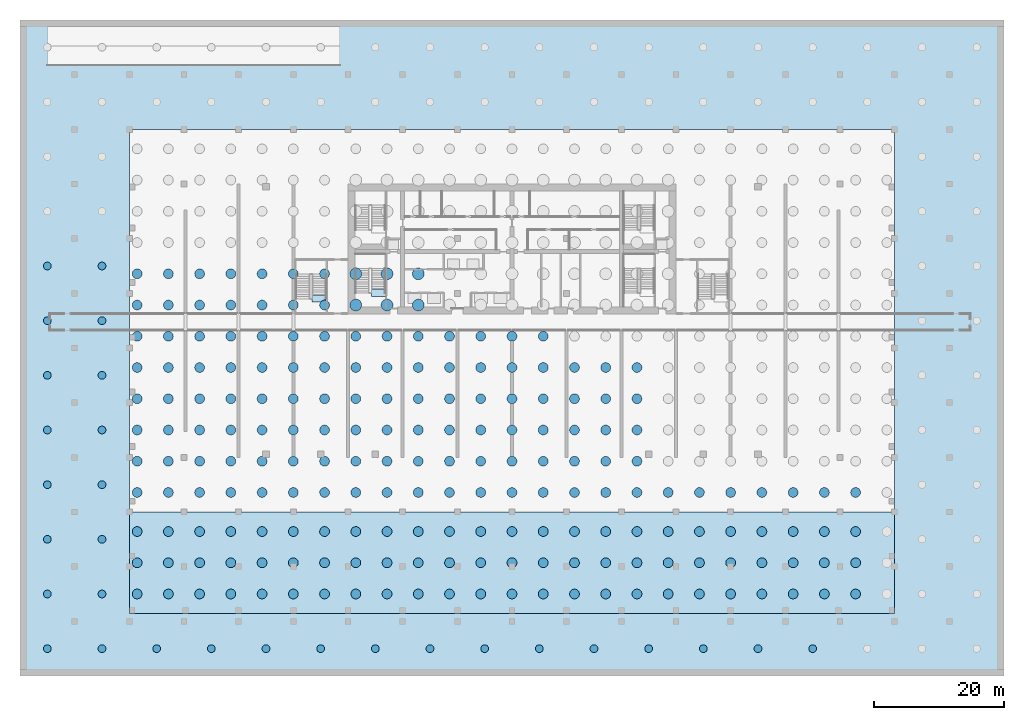
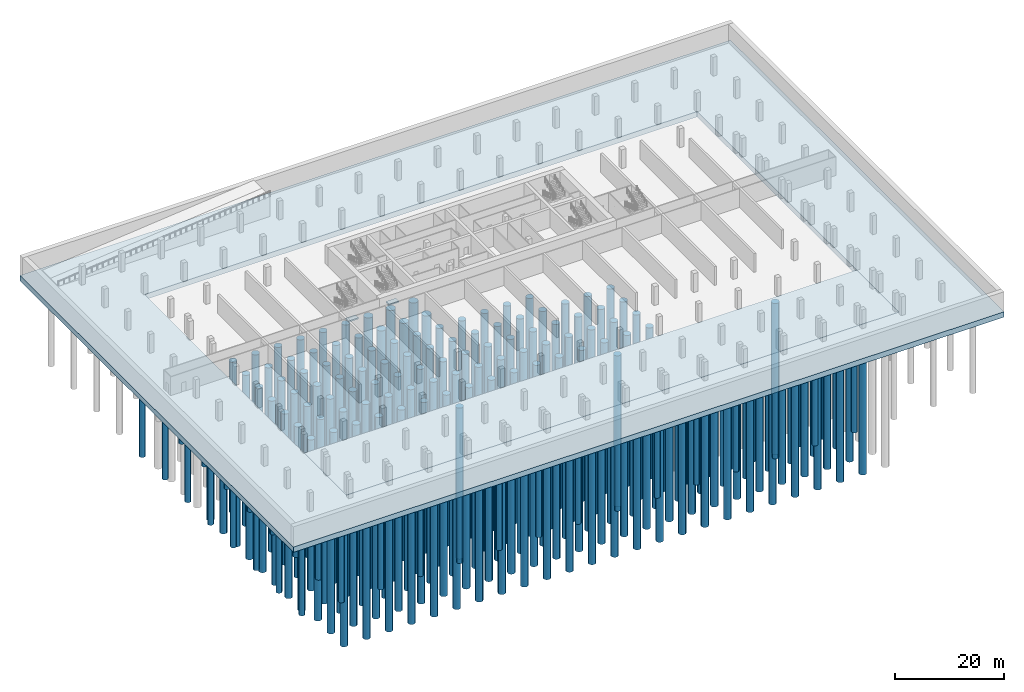
# One storey, part 1 of 17: 227 piles, 4 footings.
"""IFC4 building model written with IfcOpenShell, lengths in metres."""

from ifc_helpers import new_model, si_unit, direction, frame, origin, origin_2d, place, context, subcontext, project, spatial, polyline, circle, outline, extrude, source, transform, mapped, material, layer, layer_set, type_object, element, save


model = new_model("IFC4")

# Units and contexts
model_context = context("Model", 3, precision=1e-05, world=origin(), true_north=direction((0.0, 1.0)))
body_context = subcontext(model_context, "Body", "Model", "MODEL_VIEW")
ifc_project = project(units=[si_unit("LENGTHUNIT", "METRE"), si_unit("AREAUNIT", "SQUARE_METRE"), si_unit("VOLUMEUNIT", "CUBIC_METRE"), si_unit("PLANEANGLEUNIT", "RADIAN"), si_unit("MASSUNIT", "GRAM", prefix="KILO")], contexts=[model_context])

# Site, building, storey
site_placement = place(None, origin())
site = spatial("IfcSite", under=ifc_project, at=site_placement, CompositionType="ELEMENT")
building_placement = place(site_placement, origin())
building = spatial("IfcBuilding", under=site, at=building_placement, Name="Vanashikhar Sky Hotel", CompositionType="ELEMENT")
storey_placement = place(building_placement, frame((0.0, 0.0, -13.5)))
storey = spatial("IfcBuildingStorey", under=building, at=storey_placement, Name="B3", CompositionType="ELEMENT", Elevation=-13.5)

# Footings
ifc_material = material(Name="Concrete M40", Category="concrete")
ifc_layer_1 = layer(ifc_material, 2.0)
ifc_layer_set_1 = layer_set([ifc_layer_1], Name="Piled raft 2000 mm")
footing_type_1 = type_object("IfcFootingType", Name="Piled raft 2000 mm", PredefinedType="PILE_CAP", material=ifc_layer_set_1)
shared_shape_1 = source(origin(), body_context, "Body", "SweptSolid", [
    extrude(outline(polyline([(109.199951171875, -24.0), (109.199951171875, -8.39990234375), (-8.39990234375, -8.39990234375), (-8.39990234375, -24.0), (109.199951171875, -24.0)])), origin(), (0.0, 0.0, 1.0), 2.0),
])
footing_1_placement = place(storey_placement, frame((0.0, 0.0, -2.300048828125)))
element("IfcFooting", 1, at=footing_1_placement, inside=storey, type_object=footing_type_1, Name="Front annex piled raft", PredefinedType="PILE_CAP", context=body_context, shape_type="MappedRepresentation", body=[
    mapped(shared_shape_1, transform((0.0, 0.0, 0.0), scale=1.0)),
])
ifc_layer_2 = layer(ifc_material, 1.199951171875)
ifc_layer_set_2 = layer_set([ifc_layer_2], Name="Piled raft 1200 mm")
footing_type_2 = type_object("IfcFootingType", Name="Piled raft 1200 mm", PredefinedType="PILE_CAP", material=ifc_layer_set_2)
shared_shape_2 = source(origin(), body_context, "Body", "SweptSolid", [
    extrude(outline(polyline([(-25.199951171875, -33.60009765625), (126.0, -33.60009765625), (126.0, 67.199951171875), (-25.199951171875, 67.199951171875), (-25.199951171875, -33.60009765625)]), holes=[polyline([(109.199951171875, -24.0), (109.199951171875, 50.39990234375), (-8.39990234375, 50.39990234375), (-8.39990234375, -24.0), (109.199951171875, -24.0)])]), origin(), (0.0, 0.0, 1.0), 1.199951171875),
])
footing_2_placement = place(storey_placement, frame((0.0, 0.0, -1.5)))
element("IfcFooting", 2, at=footing_2_placement, inside=storey, type_object=footing_type_2, Name="Basement piled raft", PredefinedType="PILE_CAP", context=body_context, shape_type="MappedRepresentation", body=[
    mapped(shared_shape_2, transform((0.0, 0.0, 0.0), scale=1.0)),
])

# Piles
pile_type_1 = type_object("IfcPileType", Name="Bored pile 1500 mm", PredefinedType="BORED", material=ifc_material)
shared_shape_3 = source(origin(), body_context, "Body", "SweptSolid", [
    extrude(circle(Radius=0.75, at=origin_2d()), origin(), (0.0, 0.0, 1.0), 34.0),
])
for number, where, z_axis, x_axis, name in (
    (3, (-7.199951171875, -5.39990234375, -3.699951171875), (0.0, 0.0, -1.0), (1.0, 0.0, 0.0), "PL-B3-0001"),
    (4, (-2.39990234375, -5.39990234375, -3.699951171875), (0.0, 0.0, -1.0), (1.0, 0.0, 0.0), "PL-B3-0002"),
    (5, (2.39990234375, -5.39990234375, -3.699951171875), (0.0, 0.0, -1.0), (1.0, 0.0, 0.0), "PL-B3-0003"),
    (6, (7.199951171875, -5.39990234375, -3.699951171875), (0.0, 0.0, -1.0), (1.0, 0.0, 0.0), "PL-B3-0004"),
    (7, (12.0, -5.39990234375, -3.699951171875), (0.0, 0.0, -1.0), (1.0, 0.0, 0.0), "PL-B3-0005"),
    (8, (16.800048828125, -5.39990234375, -3.699951171875), (0.0, 0.0, -1.0), (1.0, 0.0, 0.0), "PL-B3-0006"),
    (9, (21.60009765625, -5.39990234375, -3.699951171875), (0.0, 0.0, -1.0), (1.0, 0.0, 0.0), "PL-B3-0007"),
    (10, (26.39990234375, -5.39990234375, -3.699951171875), (0.0, 0.0, -1.0), (1.0, 0.0, 0.0), "PL-B3-0008"),
    (11, (31.199951171875, -5.39990234375, -3.699951171875), (0.0, 0.0, -1.0), (1.0, 0.0, 0.0), "PL-B3-0009"),
    (12, (36.0, -5.39990234375, -3.699951171875), (0.0, 0.0, -1.0), (1.0, 0.0, 0.0), "PL-B3-0010"),
    (13, (40.800048828125, -5.39990234375, -3.699951171875), (0.0, 0.0, -1.0), (1.0, 0.0, 0.0), "PL-B3-0011"),
    (14, (45.60009765625, -5.39990234375, -3.699951171875), (0.0, 0.0, -1.0), (1.0, 0.0, 0.0), "PL-B3-0012"),
    (15, (50.39990234375, -5.39990234375, -3.699951171875), (0.0, 0.0, -1.0), (1.0, 0.0, 0.0), "PL-B3-0013"),
    (16, (55.199951171875, -5.39990234375, -3.699951171875), (0.0, 0.0, -1.0), (1.0, 0.0, 0.0), "PL-B3-0014"),
    (17, (60.0, -5.39990234375, -3.699951171875), (0.0, 0.0, -1.0), (1.0, 0.0, 0.0), "PL-B3-0015"),
    (18, (64.800048828125, -5.39990234375, -3.699951171875), (0.0, 0.0, -1.0), (1.0, 0.0, 0.0), "PL-B3-0016"),
    (19, (69.60009765625, -5.39990234375, -3.699951171875), (0.0, 0.0, -1.0), (1.0, 0.0, 0.0), "PL-B3-0017"),
    (20, (74.39990234375, -5.39990234375, -3.699951171875), (0.0, 0.0, -1.0), (1.0, 0.0, 0.0), "PL-B3-0018"),
    (21, (79.199951171875, -5.39990234375, -3.699951171875), (0.0, 0.0, -1.0), (1.0, 0.0, 0.0), "PL-B3-0019"),
    (22, (84.0, -5.39990234375, -3.699951171875), (0.0, 0.0, -1.0), (1.0, 0.0, 0.0), "PL-B3-0020"),
    (23, (88.800048828125, -5.39990234375, -3.699951171875), (0.0, 0.0, -1.0), (1.0, 0.0, 0.0), "PL-B3-0021"),
    (24, (93.60009765625, -5.39990234375, -3.699951171875), (0.0, 0.0, -1.0), (1.0, 0.0, 0.0), "PL-B3-0022"),
    (25, (98.39990234375, -5.39990234375, -3.699951171875), (0.0, 0.0, -1.0), (1.0, 0.0, 0.0), "PL-B3-0023"),
    (26, (103.199951171875, -5.39990234375, -3.699951171875), (0.0, 0.0, -1.0), (1.0, 0.0, 0.0), "PL-B3-0024"),
    (27, (-7.199951171875, -0.60009765625, -3.699951171875), (0.0, 0.0, -1.0), (1.0, 0.0, 0.0), "PL-B3-0026"),
    (28, (-2.39990234375, -0.60009765625, -3.699951171875), (0.0, 0.0, -1.0), (1.0, 0.0, 0.0), "PL-B3-0027"),
    (29, (2.39990234375, -0.60009765625, -3.699951171875), (0.0, 0.0, -1.0), (1.0, 0.0, 0.0), "PL-B3-0028"),
    (30, (7.199951171875, -0.60009765625, -3.699951171875), (0.0, 0.0, -1.0), (1.0, 0.0, 0.0), "PL-B3-0029"),
    (31, (12.0, -0.60009765625, -3.699951171875), (0.0, 0.0, -1.0), (1.0, 0.0, 0.0), "PL-B3-0030"),
    (32, (16.800048828125, -0.60009765625, -3.699951171875), (0.0, 0.0, -1.0), (1.0, 0.0, 0.0), "PL-B3-0031"),
    (33, (21.60009765625, -0.60009765625, -3.699951171875), (0.0, 0.0, -1.0), (1.0, 0.0, 0.0), "PL-B3-0032"),
    (34, (26.39990234375, -0.60009765625, -3.699951171875), (0.0, 0.0, -1.0), (1.0, 0.0, 0.0), "PL-B3-0033"),
    (35, (31.199951171875, -0.60009765625, -3.699951171875), (0.0, 0.0, -1.0), (1.0, 0.0, 0.0), "PL-B3-0034"),
    (36, (36.0, -0.60009765625, -3.699951171875), (0.0, 0.0, -1.0), (1.0, 0.0, 0.0), "PL-B3-0035"),
    (37, (40.800048828125, -0.60009765625, -3.699951171875), (0.0, 0.0, -1.0), (1.0, 0.0, 0.0), "PL-B3-0036"),
    (38, (45.60009765625, -0.60009765625, -3.699951171875), (0.0, 0.0, -1.0), (1.0, 0.0, 0.0), "PL-B3-0037"),
    (39, (50.39990234375, -0.60009765625, -3.699951171875), (0.0, 0.0, -1.0), (1.0, 0.0, 0.0), "PL-B3-0038"),
    (40, (55.199951171875, -0.60009765625, -3.699951171875), (0.0, 0.0, -1.0), (1.0, 0.0, 0.0), "PL-B3-0039"),
    (41, (60.0, -0.60009765625, -3.699951171875), (0.0, 0.0, -1.0), (1.0, 0.0, 0.0), "PL-B3-0040"),
    (42, (64.800048828125, -0.60009765625, -3.699951171875), (0.0, 0.0, -1.0), (1.0, 0.0, 0.0), "PL-B3-0041"),
    (43, (69.60009765625, -0.60009765625, -3.699951171875), (0.0, 0.0, -1.0), (1.0, 0.0, 0.0), "PL-B3-0042"),
    (44, (-7.199951171875, 4.199951171875, -3.699951171875), (0.0, 0.0, -1.0), (1.0, 0.0, 0.0), "PL-B3-0051"),
    (45, (-2.39990234375, 4.199951171875, -3.699951171875), (0.0, 0.0, -1.0), (1.0, 0.0, 0.0), "PL-B3-0052"),
    (46, (2.39990234375, 4.199951171875, -3.699951171875), (0.0, 0.0, -1.0), (1.0, 0.0, 0.0), "PL-B3-0053"),
    (47, (7.199951171875, 4.199951171875, -3.699951171875), (0.0, 0.0, -1.0), (1.0, 0.0, 0.0), "PL-B3-0054"),
    (48, (12.0, 4.199951171875, -3.699951171875), (0.0, 0.0, -1.0), (1.0, 0.0, 0.0), "PL-B3-0055"),
    (49, (16.800048828125, 4.199951171875, -3.699951171875), (0.0, 0.0, -1.0), (1.0, 0.0, 0.0), "PL-B3-0056"),
    (50, (21.60009765625, 4.199951171875, -3.699951171875), (0.0, 0.0, -1.0), (1.0, 0.0, 0.0), "PL-B3-0057"),
    (51, (26.39990234375, 4.199951171875, -3.699951171875), (0.0, 0.0, -1.0), (1.0, 0.0, 0.0), "PL-B3-0058"),
    (52, (31.199951171875, 4.199951171875, -3.699951171875), (0.0, 0.0, -1.0), (1.0, 0.0, 0.0), "PL-B3-0059"),
    (53, (36.0, 4.199951171875, -3.699951171875), (0.0, 0.0, -1.0), (1.0, 0.0, 0.0), "PL-B3-0060"),
    (54, (40.800048828125, 4.199951171875, -3.699951171875), (0.0, 0.0, -1.0), (1.0, 0.0, 0.0), "PL-B3-0061"),
    (55, (45.60009765625, 4.199951171875, -3.699951171875), (0.0, 0.0, -1.0), (1.0, 0.0, 0.0), "PL-B3-0062"),
    (56, (50.39990234375, 4.199951171875, -3.699951171875), (0.0, 0.0, -1.0), (1.0, 0.0, 0.0), "PL-B3-0063"),
    (57, (55.199951171875, 4.199951171875, -3.699951171875), (0.0, 0.0, -1.0), (1.0, 0.0, 0.0), "PL-B3-0064"),
    (58, (60.0, 4.199951171875, -3.699951171875), (0.0, 0.0, -1.0), (1.0, 0.0, 0.0), "PL-B3-0065"),
    (59, (64.800048828125, 4.199951171875, -3.699951171875), (0.0, 0.0, -1.0), (1.0, 0.0, 0.0), "PL-B3-0066"),
    (60, (69.60009765625, 4.199951171875, -3.699951171875), (0.0, 0.0, -1.0), (1.0, 0.0, 0.0), "PL-B3-0067"),
    (61, (-7.199951171875, 9.0, -3.699951171875), (0.0, 0.0, -1.0), (1.0, 0.0, 0.0), "PL-B3-0076"),
    (62, (-2.39990234375, 9.0, -3.699951171875), (0.0, 0.0, -1.0), (1.0, 0.0, 0.0), "PL-B3-0077"),
    (63, (2.39990234375, 9.0, -3.699951171875), (0.0, 0.0, -1.0), (1.0, 0.0, 0.0), "PL-B3-0078"),
    (64, (7.199951171875, 9.0, -3.699951171875), (0.0, 0.0, -1.0), (1.0, 0.0, 0.0), "PL-B3-0079"),
    (65, (12.0, 9.0, -3.699951171875), (0.0, 0.0, -1.0), (1.0, 0.0, 0.0), "PL-B3-0080"),
    (66, (16.800048828125, 9.0, -3.699951171875), (0.0, 0.0, -1.0), (1.0, 0.0, 0.0), "PL-B3-0081"),
    (67, (21.60009765625, 9.0, -3.699951171875), (0.0, 0.0, -1.0), (1.0, 0.0, 0.0), "PL-B3-0082"),
    (68, (26.39990234375, 9.0, -3.699951171875), (0.0, 0.0, -1.0), (1.0, 0.0, 0.0), "PL-B3-0083"),
    (69, (31.199951171875, 9.0, -3.699951171875), (0.0, 0.0, -1.0), (1.0, 0.0, 0.0), "PL-B3-0084"),
    (70, (36.0, 9.0, -3.699951171875), (0.0, 0.0, -1.0), (1.0, 0.0, 0.0), "PL-B3-0085"),
    (71, (40.800048828125, 9.0, -3.699951171875), (0.0, 0.0, -1.0), (1.0, 0.0, 0.0), "PL-B3-0086"),
    (72, (45.60009765625, 9.0, -3.699951171875), (0.0, 0.0, -1.0), (1.0, 0.0, 0.0), "PL-B3-0087"),
    (73, (50.39990234375, 9.0, -3.699951171875), (0.0, 0.0, -1.0), (1.0, 0.0, 0.0), "PL-B3-0088"),
    (74, (55.199951171875, 9.0, -3.699951171875), (0.0, 0.0, -1.0), (1.0, 0.0, 0.0), "PL-B3-0089"),
    (75, (60.0, 9.0, -3.699951171875), (0.0, 0.0, -1.0), (1.0, 0.0, 0.0), "PL-B3-0090"),
    (76, (64.800048828125, 9.0, -3.699951171875), (0.0, 0.0, -1.0), (1.0, 0.0, 0.0), "PL-B3-0091"),
    (77, (69.60009765625, 9.0, -3.699951171875), (0.0, 0.0, -1.0), (1.0, 0.0, 0.0), "PL-B3-0092"),
    (78, (-7.199951171875, 13.800048828125, -3.699951171875), (0.0, 0.0, -1.0), (1.0, 0.0, 0.0), "PL-B3-0101"),
    (79, (-2.39990234375, 13.800048828125, -3.699951171875), (0.0, 0.0, -1.0), (1.0, 0.0, 0.0), "PL-B3-0102"),
    (80, (2.39990234375, 13.800048828125, -3.699951171875), (0.0, 0.0, -1.0), (1.0, 0.0, 0.0), "PL-B3-0103"),
    (81, (7.199951171875, 13.800048828125, -3.699951171875), (0.0, 0.0, -1.0), (1.0, 0.0, 0.0), "PL-B3-0104"),
    (82, (12.0, 13.800048828125, -3.699951171875), (0.0, 0.0, -1.0), (1.0, 0.0, 0.0), "PL-B3-0105"),
    (83, (16.800048828125, 13.800048828125, -3.699951171875), (0.0, 0.0, -1.0), (1.0, 0.0, 0.0), "PL-B3-0106"),
    (84, (21.60009765625, 13.800048828125, -3.699951171875), (0.0, 0.0, -1.0), (1.0, 0.0, 0.0), "PL-B3-0107"),
    (85, (26.39990234375, 13.800048828125, -3.699951171875), (0.0, 0.0, -1.0), (1.0, 0.0, 0.0), "PL-B3-0108"),
    (86, (31.199951171875, 13.800048828125, -3.699951171875), (0.0, 0.0, -1.0), (1.0, 0.0, 0.0), "PL-B3-0109"),
    (87, (36.0, 13.800048828125, -3.699951171875), (0.0, 0.0, -1.0), (1.0, 0.0, 0.0), "PL-B3-0110"),
    (88, (40.800048828125, 13.800048828125, -3.699951171875), (0.0, 0.0, -1.0), (1.0, 0.0, 0.0), "PL-B3-0111"),
    (89, (45.60009765625, 13.800048828125, -3.699951171875), (0.0, 0.0, -1.0), (1.0, 0.0, 0.0), "PL-B3-0112"),
    (90, (50.39990234375, 13.800048828125, -3.699951171875), (0.0, 0.0, -1.0), (1.0, 0.0, 0.0), "PL-B3-0113"),
    (91, (55.199951171875, 13.800048828125, -3.699951171875), (0.0, 0.0, -1.0), (1.0, 0.0, 0.0), "PL-B3-0114"),
    (92, (60.0, 13.800048828125, -3.699951171875), (0.0, 0.0, -1.0), (1.0, 0.0, 0.0), "PL-B3-0115"),
    (93, (64.800048828125, 13.800048828125, -3.699951171875), (0.0, 0.0, -1.0), (1.0, 0.0, 0.0), "PL-B3-0116"),
    (94, (69.60009765625, 13.800048828125, -3.699951171875), (0.0, 0.0, -1.0), (1.0, 0.0, 0.0), "PL-B3-0117"),
    (95, (-7.199951171875, 18.60009765625, -3.699951171875), (0.0, 0.0, -1.0), (1.0, 0.0, 0.0), "PL-B3-0126"),
    (96, (-2.39990234375, 18.60009765625, -3.699951171875), (0.0, 0.0, -1.0), (1.0, 0.0, 0.0), "PL-B3-0127"),
    (97, (2.39990234375, 18.60009765625, -3.699951171875), (0.0, 0.0, -1.0), (1.0, 0.0, 0.0), "PL-B3-0128"),
    (98, (7.199951171875, 18.60009765625, -3.699951171875), (0.0, 0.0, -1.0), (1.0, 0.0, 0.0), "PL-B3-0129"),
    (99, (12.0, 18.60009765625, -3.699951171875), (0.0, 0.0, -1.0), (1.0, 0.0, 0.0), "PL-B3-0130"),
    (100, (16.800048828125, 18.60009765625, -3.699951171875), (0.0, 0.0, -1.0), (1.0, 0.0, 0.0), "PL-B3-0131"),
    (101, (21.60009765625, 18.60009765625, -3.699951171875), (0.0, 0.0, -1.0), (1.0, 0.0, 0.0), "PL-B3-0132"),
    (102, (26.39990234375, 18.60009765625, -3.699951171875), (0.0, 0.0, -1.0), (1.0, 0.0, 0.0), "PL-B3-0133"),
    (103, (31.199951171875, 18.60009765625, -3.699951171875), (0.0, 0.0, -1.0), (1.0, 0.0, 0.0), "PL-B3-0134"),
    (104, (36.0, 18.60009765625, -3.699951171875), (0.0, 0.0, -1.0), (1.0, 0.0, 0.0), "PL-B3-0135"),
    (105, (40.800048828125, 18.60009765625, -3.699951171875), (0.0, 0.0, -1.0), (1.0, 0.0, 0.0), "PL-B3-0136"),
    (106, (45.60009765625, 18.60009765625, -3.699951171875), (0.0, 0.0, -1.0), (1.0, 0.0, 0.0), "PL-B3-0137"),
    (107, (50.39990234375, 18.60009765625, -3.699951171875), (0.0, 0.0, -1.0), (1.0, 0.0, 0.0), "PL-B3-0138"),
    (108, (55.199951171875, 18.60009765625, -3.699951171875), (0.0, 0.0, -1.0), (1.0, 0.0, 0.0), "PL-B3-0139"),
    (109, (-7.199951171875, 23.39990234375, -3.699951171875), (0.0, 0.0, -1.0), (1.0, 0.0, 0.0), "PL-B3-0151"),
    (110, (-2.39990234375, 23.39990234375, -3.699951171875), (0.0, 0.0, -1.0), (1.0, 0.0, 0.0), "PL-B3-0152"),
    (111, (2.39990234375, 23.39990234375, -3.699951171875), (0.0, 0.0, -1.0), (1.0, 0.0, 0.0), "PL-B3-0153"),
    (112, (7.199951171875, 23.39990234375, -3.699951171875), (0.0, 0.0, -1.0), (1.0, 0.0, 0.0), "PL-B3-0154"),
    (113, (12.0, 23.39990234375, -3.699951171875), (0.0, 0.0, -1.0), (1.0, 0.0, 0.0), "PL-B3-0155"),
    (114, (16.800048828125, 23.39990234375, -3.699951171875), (0.0, 0.0, -1.0), (1.0, 0.0, 0.0), "PL-B3-0156"),
    (115, (21.60009765625, 23.39990234375, -3.699951171875), (0.0, 0.0, -1.0), (1.0, 0.0, 0.0), "PL-B3-0157"),
    (116, (-7.199951171875, 28.199951171875, -3.699951171875), (0.0, 0.0, -1.0), (1.0, 0.0, 0.0), "PL-B3-0176"),
    (117, (-2.39990234375, 28.199951171875, -3.699951171875), (0.0, 0.0, -1.0), (1.0, 0.0, 0.0), "PL-B3-0177"),
    (118, (2.39990234375, 28.199951171875, -3.699951171875), (0.0, 0.0, -1.0), (1.0, 0.0, 0.0), "PL-B3-0178"),
    (119, (7.199951171875, 28.199951171875, -3.699951171875), (0.0, 0.0, -1.0), (1.0, 0.0, 0.0), "PL-B3-0179"),
    (120, (12.0, 28.199951171875, -3.699951171875), (0.0, 0.0, -1.0), (1.0, 0.0, 0.0), "PL-B3-0180"),
    (121, (16.800048828125, 28.199951171875, -3.699951171875), (0.0, 0.0, -1.0), (1.0, 0.0, 0.0), "PL-B3-0181"),
    (122, (21.60009765625, 28.199951171875, -3.699951171875), (0.0, 0.0, -1.0), (1.0, 0.0, 0.0), "PL-B3-0182"),
    (123, (-7.199951171875, -21.0, -2.199951171875), (0.0, 0.0, -1.0), (1.0, 0.0, 0.0), "PL-B3-0301"),
    (124, (-2.39990234375, -21.0, -2.199951171875), (0.0, 0.0, -1.0), (1.0, 0.0, 0.0), "PL-B3-0302"),
    (125, (2.39990234375, -21.0, -2.199951171875), (0.0, 0.0, -1.0), (1.0, 0.0, 0.0), "PL-B3-0303"),
    (126, (7.199951171875, -21.0, -2.199951171875), (0.0, 0.0, -1.0), (1.0, 0.0, 0.0), "PL-B3-0304"),
    (127, (12.0, -21.0, -2.199951171875), (0.0, 0.0, -1.0), (1.0, 0.0, 0.0), "PL-B3-0305"),
    (128, (16.800048828125, -21.0, -2.199951171875), (0.0, 0.0, -1.0), (1.0, 0.0, 0.0), "PL-B3-0306"),
    (129, (21.60009765625, -21.0, -2.199951171875), (0.0, 0.0, -1.0), (1.0, 0.0, 0.0), "PL-B3-0307"),
    (130, (26.39990234375, -21.0, -2.199951171875), (0.0, 0.0, -1.0), (1.0, 0.0, 0.0), "PL-B3-0308"),
    (131, (31.199951171875, -21.0, -2.199951171875), (0.0, 0.0, -1.0), (1.0, 0.0, 0.0), "PL-B3-0309"),
    (132, (36.0, -21.0, -2.199951171875), (0.0, 0.0, -1.0), (1.0, 0.0, 0.0), "PL-B3-0310"),
    (133, (40.800048828125, -21.0, -2.199951171875), (0.0, 0.0, -1.0), (1.0, 0.0, 0.0), "PL-B3-0311"),
    (134, (45.60009765625, -21.0, -2.199951171875), (0.0, 0.0, -1.0), (1.0, 0.0, 0.0), "PL-B3-0312"),
    (135, (50.39990234375, -21.0, -2.199951171875), (0.0, 0.0, -1.0), (1.0, 0.0, 0.0), "PL-B3-0313"),
    (136, (55.199951171875, -21.0, -2.199951171875), (0.0, 0.0, -1.0), (1.0, 0.0, 0.0), "PL-B3-0314"),
    (137, (60.0, -21.0, -2.199951171875), (0.0, 0.0, -1.0), (1.0, 0.0, 0.0), "PL-B3-0315"),
    (138, (64.800048828125, -21.0, -2.199951171875), (0.0, 0.0, -1.0), (1.0, 0.0, 0.0), "PL-B3-0316"),
    (139, (69.60009765625, -21.0, -2.199951171875), (0.0, 0.0, -1.0), (1.0, 0.0, 0.0), "PL-B3-0317"),
    (140, (74.39990234375, -21.0, -2.199951171875), (0.0, 0.0, -1.0), (1.0, 0.0, 0.0), "PL-B3-0318"),
    (141, (79.199951171875, -21.0, -2.199951171875), (0.0, 0.0, -1.0), (1.0, 0.0, 0.0), "PL-B3-0319"),
    (142, (84.0, -21.0, -2.199951171875), (0.0, 0.0, -1.0), (1.0, 0.0, 0.0), "PL-B3-0320"),
    (143, (88.800048828125, -21.0, -2.199951171875), (0.0, 0.0, -1.0), (1.0, 0.0, 0.0), "PL-B3-0321"),
    (144, (93.60009765625, -21.0, -2.199951171875), (0.0, 0.0, -1.0), (1.0, 0.0, 0.0), "PL-B3-0322"),
    (145, (98.39990234375, -21.0, -2.199951171875), (0.0, 0.0, -1.0), (1.0, 0.0, 0.0), "PL-B3-0323"),
    (146, (103.199951171875, -21.0, -2.199951171875), (0.0, 0.0, -1.0), (1.0, 0.0, 0.0), "PL-B3-0324"),
    (147, (-7.199951171875, -16.199951171875, -2.199951171875), (0.0, 0.0, -1.0), (1.0, 0.0, 0.0), "PL-B3-0326"),
    (148, (-2.39990234375, -16.199951171875, -2.199951171875), (0.0, 0.0, -1.0), (1.0, 0.0, 0.0), "PL-B3-0327"),
    (149, (2.39990234375, -16.199951171875, -2.199951171875), (0.0, 0.0, -1.0), (1.0, 0.0, 0.0), "PL-B3-0328"),
    (150, (7.199951171875, -16.199951171875, -2.199951171875), (0.0, 0.0, -1.0), (1.0, 0.0, 0.0), "PL-B3-0329"),
    (151, (12.0, -16.199951171875, -2.199951171875), (0.0, 0.0, -1.0), (1.0, 0.0, 0.0), "PL-B3-0330"),
    (152, (16.800048828125, -16.199951171875, -2.199951171875), (0.0, 0.0, -1.0), (1.0, 0.0, 0.0), "PL-B3-0331"),
    (153, (21.60009765625, -16.199951171875, -2.199951171875), (0.0, 0.0, -1.0), (1.0, 0.0, 0.0), "PL-B3-0332"),
    (154, (26.39990234375, -16.199951171875, -2.199951171875), (0.0, 0.0, -1.0), (1.0, 0.0, 0.0), "PL-B3-0333"),
    (155, (31.199951171875, -16.199951171875, -2.199951171875), (0.0, 0.0, -1.0), (1.0, 0.0, 0.0), "PL-B3-0334"),
    (156, (36.0, -16.199951171875, -2.199951171875), (0.0, 0.0, -1.0), (1.0, 0.0, 0.0), "PL-B3-0335"),
    (157, (40.800048828125, -16.199951171875, -2.199951171875), (0.0, 0.0, -1.0), (1.0, 0.0, 0.0), "PL-B3-0336"),
    (158, (45.60009765625, -16.199951171875, -2.199951171875), (0.0, 0.0, -1.0), (1.0, 0.0, 0.0), "PL-B3-0337"),
    (159, (50.39990234375, -16.199951171875, -2.199951171875), (0.0, 0.0, -1.0), (1.0, 0.0, 0.0), "PL-B3-0338"),
    (160, (55.199951171875, -16.199951171875, -2.199951171875), (0.0, 0.0, -1.0), (1.0, 0.0, 0.0), "PL-B3-0339"),
    (161, (60.0, -16.199951171875, -2.199951171875), (0.0, 0.0, -1.0), (1.0, 0.0, 0.0), "PL-B3-0340"),
    (162, (64.800048828125, -16.199951171875, -2.199951171875), (0.0, 0.0, -1.0), (1.0, 0.0, 0.0), "PL-B3-0341"),
    (163, (69.60009765625, -16.199951171875, -2.199951171875), (0.0, 0.0, -1.0), (1.0, 0.0, 0.0), "PL-B3-0342"),
    (164, (74.39990234375, -16.199951171875, -2.199951171875), (0.0, 0.0, -1.0), (1.0, 0.0, 0.0), "PL-B3-0343"),
    (165, (79.199951171875, -16.199951171875, -2.199951171875), (0.0, 0.0, -1.0), (1.0, 0.0, 0.0), "PL-B3-0344"),
    (166, (84.0, -16.199951171875, -2.199951171875), (0.0, 0.0, -1.0), (1.0, 0.0, 0.0), "PL-B3-0345"),
    (167, (88.800048828125, -16.199951171875, -2.199951171875), (0.0, 0.0, -1.0), (1.0, 0.0, 0.0), "PL-B3-0346"),
    (168, (93.60009765625, -16.199951171875, -2.199951171875), (0.0, 0.0, -1.0), (1.0, 0.0, 0.0), "PL-B3-0347"),
    (169, (98.39990234375, -16.199951171875, -2.199951171875), (0.0, 0.0, -1.0), (1.0, 0.0, 0.0), "PL-B3-0348"),
    (170, (103.199951171875, -16.199951171875, -2.199951171875), (0.0, 0.0, -1.0), (1.0, 0.0, 0.0), "PL-B3-0349"),
    (171, (-7.199951171875, -11.39990234375, -2.199951171875), (0.0, 0.0, -1.0), (1.0, 0.0, 0.0), "PL-B3-0351"),
    (172, (-2.39990234375, -11.39990234375, -2.199951171875), (0.0, 0.0, -1.0), (1.0, 0.0, 0.0), "PL-B3-0352"),
    (173, (2.39990234375, -11.39990234375, -2.199951171875), (0.0, 0.0, -1.0), (1.0, 0.0, 0.0), "PL-B3-0353"),
    (174, (7.199951171875, -11.39990234375, -2.199951171875), (0.0, 0.0, -1.0), (1.0, 0.0, 0.0), "PL-B3-0354"),
    (175, (12.0, -11.39990234375, -2.199951171875), (0.0, 0.0, -1.0), (1.0, 0.0, 0.0), "PL-B3-0355"),
    (176, (16.800048828125, -11.39990234375, -2.199951171875), (0.0, 0.0, -1.0), (1.0, 0.0, 0.0), "PL-B3-0356"),
    (177, (21.60009765625, -11.39990234375, -2.199951171875), (0.0, 0.0, -1.0), (1.0, 0.0, 0.0), "PL-B3-0357"),
    (178, (26.39990234375, -11.39990234375, -2.199951171875), (0.0, 0.0, -1.0), (1.0, 0.0, 0.0), "PL-B3-0358"),
    (179, (31.199951171875, -11.39990234375, -2.199951171875), (0.0, 0.0, -1.0), (1.0, 0.0, 0.0), "PL-B3-0359"),
    (180, (36.0, -11.39990234375, -2.199951171875), (0.0, 0.0, -1.0), (1.0, 0.0, 0.0), "PL-B3-0360"),
    (181, (40.800048828125, -11.39990234375, -2.199951171875), (0.0, 0.0, -1.0), (1.0, 0.0, 0.0), "PL-B3-0361"),
    (182, (45.60009765625, -11.39990234375, -2.199951171875), (0.0, 0.0, -1.0), (1.0, 0.0, 0.0), "PL-B3-0362"),
    (183, (50.39990234375, -11.39990234375, -2.199951171875), (0.0, 0.0, -1.0), (1.0, 0.0, 0.0), "PL-B3-0363"),
    (184, (55.199951171875, -11.39990234375, -2.199951171875), (0.0, 0.0, -1.0), (1.0, 0.0, 0.0), "PL-B3-0364"),
    (185, (60.0, -11.39990234375, -2.199951171875), (0.0, 0.0, -1.0), (1.0, 0.0, 0.0), "PL-B3-0365"),
    (186, (64.800048828125, -11.39990234375, -2.199951171875), (0.0, 0.0, -1.0), (1.0, 0.0, 0.0), "PL-B3-0366"),
    (187, (69.60009765625, -11.39990234375, -2.199951171875), (0.0, 0.0, -1.0), (1.0, 0.0, 0.0), "PL-B3-0367"),
    (188, (74.39990234375, -11.39990234375, -2.199951171875), (0.0, 0.0, -1.0), (1.0, 0.0, 0.0), "PL-B3-0368"),
    (189, (79.199951171875, -11.39990234375, -2.199951171875), (0.0, 0.0, -1.0), (1.0, 0.0, 0.0), "PL-B3-0369"),
    (190, (84.0, -11.39990234375, -2.199951171875), (0.0, 0.0, -1.0), (1.0, 0.0, 0.0), "PL-B3-0370"),
    (191, (88.800048828125, -11.39990234375, -2.199951171875), (0.0, 0.0, -1.0), (1.0, 0.0, 0.0), "PL-B3-0371"),
    (192, (93.60009765625, -11.39990234375, -2.199951171875), (0.0, 0.0, -1.0), (1.0, 0.0, 0.0), "PL-B3-0372"),
    (193, (98.39990234375, -11.39990234375, -2.199951171875), (0.0, 0.0, -1.0), (1.0, 0.0, 0.0), "PL-B3-0373"),
    (194, (103.199951171875, -11.39990234375, -2.199951171875), (0.0, 0.0, -1.0), (1.0, 0.0, 0.0), "PL-B3-0374"),
):
    element("IfcPile", number, at=place(storey_placement, frame(where, z_axis=z_axis, x_axis=x_axis)), inside=storey, type_object=pile_type_1, Name=name, PredefinedType="BORED", context=body_context, shape_type="MappedRepresentation", body=[
        mapped(shared_shape_3, transform((0.0, 0.0, 0.0), scale=1.0)),
    ])
pile_type_2 = type_object("IfcPileType", Name="Bored pile 1800 mm", PredefinedType="BORED", material=ifc_material)
shared_shape_4 = source(origin(), body_context, "Body", "SweptSolid", [
    extrude(circle(Radius=0.89990234375, at=origin_2d()), origin(), (0.0, 0.0, 1.0), 36.0),
])
for number, where, z_axis, x_axis, name in (
    (195, (26.39990234375, 23.39990234375, -3.699951171875), (0.0, 0.0, -1.0), (1.0, 0.0, 0.0), "PL-B3-0158"),
    (196, (31.199951171875, 23.39990234375, -3.699951171875), (0.0, 0.0, -1.0), (1.0, 0.0, 0.0), "PL-B3-0159"),
    (197, (36.0, 23.39990234375, -3.699951171875), (0.0, 0.0, -1.0), (1.0, 0.0, 0.0), "PL-B3-0160"),
    (198, (26.39990234375, 28.199951171875, -3.699951171875), (0.0, 0.0, -1.0), (1.0, 0.0, 0.0), "PL-B3-0183"),
    (199, (31.199951171875, 28.199951171875, -3.699951171875), (0.0, 0.0, -1.0), (1.0, 0.0, 0.0), "PL-B3-0184"),
    (200, (36.0, 28.199951171875, -3.699951171875), (0.0, 0.0, -1.0), (1.0, 0.0, 0.0), "PL-B3-0185"),
):
    element("IfcPile", number, at=place(storey_placement, frame(where, z_axis=z_axis, x_axis=x_axis)), inside=storey, type_object=pile_type_2, Name=name, PredefinedType="BORED", context=body_context, shape_type="MappedRepresentation", body=[
        mapped(shared_shape_4, transform((0.0, 0.0, 0.0), scale=1.0)),
    ])
pile_type_3 = type_object("IfcPileType", Name="Bored pile 1200 mm", PredefinedType="BORED", material=ifc_material)
shared_shape_5 = source(origin(), body_context, "Body", "SweptSolid", [
    extrude(circle(Radius=0.60009765625, at=origin_2d()), origin(), (0.0, 0.0, 1.0), 18.0),
])
for number, where, z_axis, x_axis, name in (
    (201, (-21.0, -29.39990234375, -1.39990234375), (0.0, 0.0, -1.0), (1.0, 0.0, 0.0), "PL-B3-T001"),
    (202, (-21.0, -21.0, -1.39990234375), (0.0, 0.0, -1.0), (1.0, 0.0, 0.0), "PL-B3-T002"),
    (203, (-21.0, -12.60009765625, -1.39990234375), (0.0, 0.0, -1.0), (1.0, 0.0, 0.0), "PL-B3-T003"),
    (204, (-21.0, -4.199951171875, -1.39990234375), (0.0, 0.0, -1.0), (1.0, 0.0, 0.0), "PL-B3-T004"),
    (205, (-21.0, 4.199951171875, -1.39990234375), (0.0, 0.0, -1.0), (1.0, 0.0, 0.0), "PL-B3-T005"),
    (206, (-21.0, 12.60009765625, -1.39990234375), (0.0, 0.0, -1.0), (1.0, 0.0, 0.0), "PL-B3-T006"),
    (207, (-21.0, 21.0, -1.39990234375), (0.0, 0.0, -1.0), (1.0, 0.0, 0.0), "PL-B3-T007"),
    (208, (-21.0, 29.39990234375, -1.39990234375), (0.0, 0.0, -1.0), (1.0, 0.0, 0.0), "PL-B3-T008"),
    (209, (-12.60009765625, -29.39990234375, -1.39990234375), (0.0, 0.0, -1.0), (1.0, 0.0, 0.0), "PL-B3-T013"),
    (210, (-12.60009765625, -21.0, -1.39990234375), (0.0, 0.0, -1.0), (1.0, 0.0, 0.0), "PL-B3-T014"),
    (211, (-12.60009765625, -12.60009765625, -1.39990234375), (0.0, 0.0, -1.0), (1.0, 0.0, 0.0), "PL-B3-T015"),
    (212, (-12.60009765625, -4.199951171875, -1.39990234375), (0.0, 0.0, -1.0), (1.0, 0.0, 0.0), "PL-B3-T016"),
    (213, (-12.60009765625, 4.199951171875, -1.39990234375), (0.0, 0.0, -1.0), (1.0, 0.0, 0.0), "PL-B3-T017"),
    (214, (-12.60009765625, 12.60009765625, -1.39990234375), (0.0, 0.0, -1.0), (1.0, 0.0, 0.0), "PL-B3-T018"),
    (215, (-12.60009765625, 21.0, -1.39990234375), (0.0, 0.0, -1.0), (1.0, 0.0, 0.0), "PL-B3-T019"),
    (216, (-12.60009765625, 29.39990234375, -1.39990234375), (0.0, 0.0, -1.0), (1.0, 0.0, 0.0), "PL-B3-T020"),
    (217, (-4.199951171875, -29.39990234375, -1.39990234375), (0.0, 0.0, -1.0), (1.0, 0.0, 0.0), "PL-B3-T025"),
    (218, (4.199951171875, -29.39990234375, -1.39990234375), (0.0, 0.0, -1.0), (1.0, 0.0, 0.0), "PL-B3-T028"),
    (219, (12.60009765625, -29.39990234375, -1.39990234375), (0.0, 0.0, -1.0), (1.0, 0.0, 0.0), "PL-B3-T031"),
    (220, (21.0, -29.39990234375, -1.39990234375), (0.0, 0.0, -1.0), (1.0, 0.0, 0.0), "PL-B3-T034"),
    (221, (29.39990234375, -29.39990234375, -1.39990234375), (0.0, 0.0, -1.0), (1.0, 0.0, 0.0), "PL-B3-T037"),
    (222, (37.800048828125, -29.39990234375, -1.39990234375), (0.0, 0.0, -1.0), (1.0, 0.0, 0.0), "PL-B3-T040"),
    (223, (46.199951171875, -29.39990234375, -1.39990234375), (0.0, 0.0, -1.0), (1.0, 0.0, 0.0), "PL-B3-T043"),
    (224, (54.60009765625, -29.39990234375, -1.39990234375), (0.0, 0.0, -1.0), (1.0, 0.0, 0.0), "PL-B3-T046"),
    (225, (63.0, -29.39990234375, -1.39990234375), (0.0, 0.0, -1.0), (1.0, 0.0, 0.0), "PL-B3-T049"),
    (226, (71.39990234375, -29.39990234375, -1.39990234375), (0.0, 0.0, -1.0), (1.0, 0.0, 0.0), "PL-B3-T052"),
    (227, (79.800048828125, -29.39990234375, -1.39990234375), (0.0, 0.0, -1.0), (1.0, 0.0, 0.0), "PL-B3-T055"),
    (228, (88.199951171875, -29.39990234375, -1.39990234375), (0.0, 0.0, -1.0), (1.0, 0.0, 0.0), "PL-B3-T058"),
    (229, (96.60009765625, -29.39990234375, -1.39990234375), (0.0, 0.0, -1.0), (1.0, 0.0, 0.0), "PL-B3-T061"),
):
    element("IfcPile", number, at=place(storey_placement, frame(where, z_axis=z_axis, x_axis=x_axis)), inside=storey, type_object=pile_type_3, Name=name, PredefinedType="BORED", context=body_context, shape_type="MappedRepresentation", body=[
        mapped(shared_shape_5, transform((0.0, 0.0, 0.0), scale=1.0)),
    ])

# Footings
ifc_layer_3 = layer(ifc_material, 0.300048828125)
ifc_layer_set_3 = layer_set([ifc_layer_3], Name="Stair foot pad 300 mm")
footing_type_3 = type_object("IfcFootingType", Name="Stair foot pad 300 mm", PredefinedType="PAD_FOOTING", material=ifc_layer_set_3)
shared_shape_6 = source(origin(), body_context, "Body", "SweptSolid", [
    extrude(outline(polyline([(28.804931640625, 24.75), (30.945068359375, 24.75), (30.945068359375, 25.85009765625), (28.804931640625, 25.85009765625), (28.804931640625, 24.75)])), origin(), (0.0, 0.0, 1.0), 0.300048828125),
])
footing_3_placement = place(storey_placement, frame((0.0, 0.0, -0.300048828125)))
element("IfcFooting", 230, at=footing_3_placement, inside=storey, type_object=footing_type_3, Name="Stair foot pad", PredefinedType="PAD_FOOTING", context=body_context, shape_type="MappedRepresentation", body=[
    mapped(shared_shape_6, transform((0.0, 0.0, 0.0), scale=1.0)),
])
shared_shape_7 = source(origin(), body_context, "Body", "SweptSolid", [
    extrude(outline(polyline([(19.705078125, 23.85009765625), (21.844970703125, 23.85009765625), (21.844970703125, 24.949951171875), (19.705078125, 24.949951171875), (19.705078125, 23.85009765625)])), origin(), (0.0, 0.0, 1.0), 0.300048828125),
])
footing_4_placement = place(storey_placement, frame((0.0, 0.0, -0.300048828125)))
element("IfcFooting", 231, at=footing_4_placement, inside=storey, type_object=footing_type_3, Name="Stair foot pad", PredefinedType="PAD_FOOTING", context=body_context, shape_type="MappedRepresentation", body=[
    mapped(shared_shape_7, transform((0.0, 0.0, 0.0), scale=1.0)),
])

save(model, "model.ifc")
